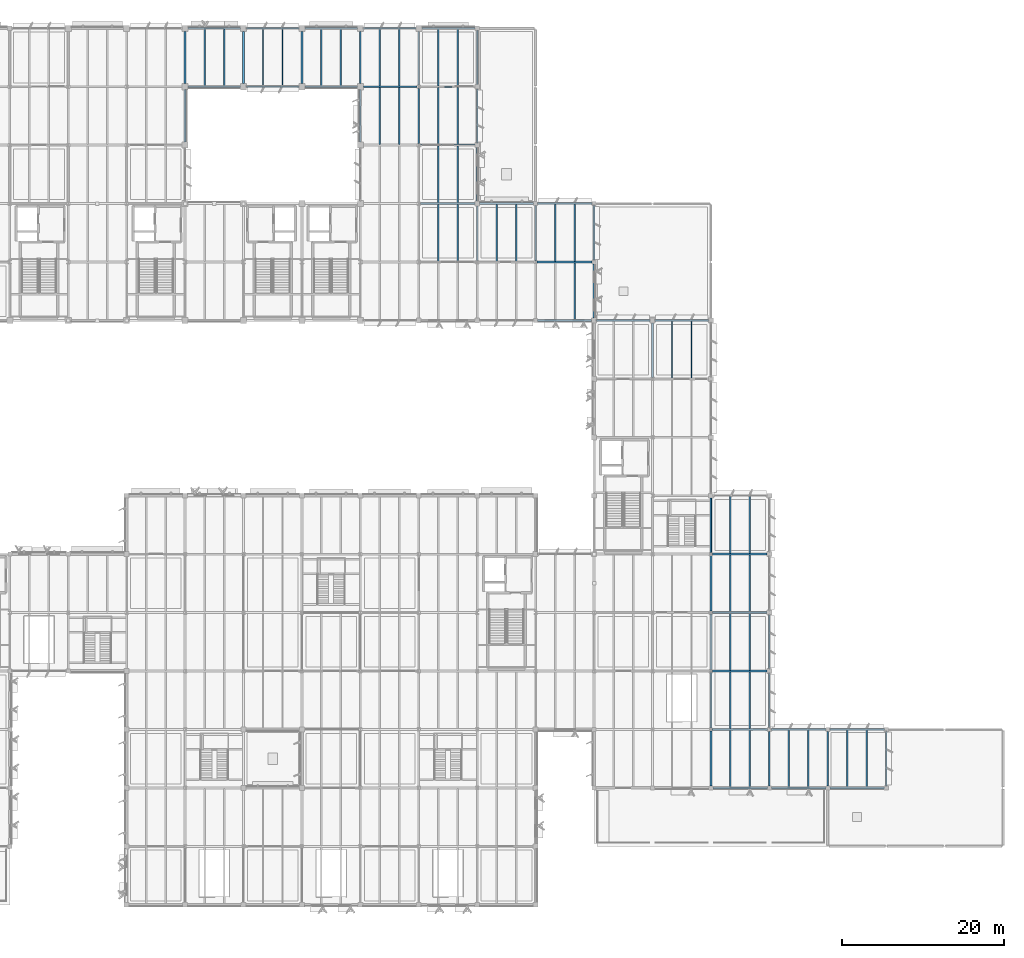
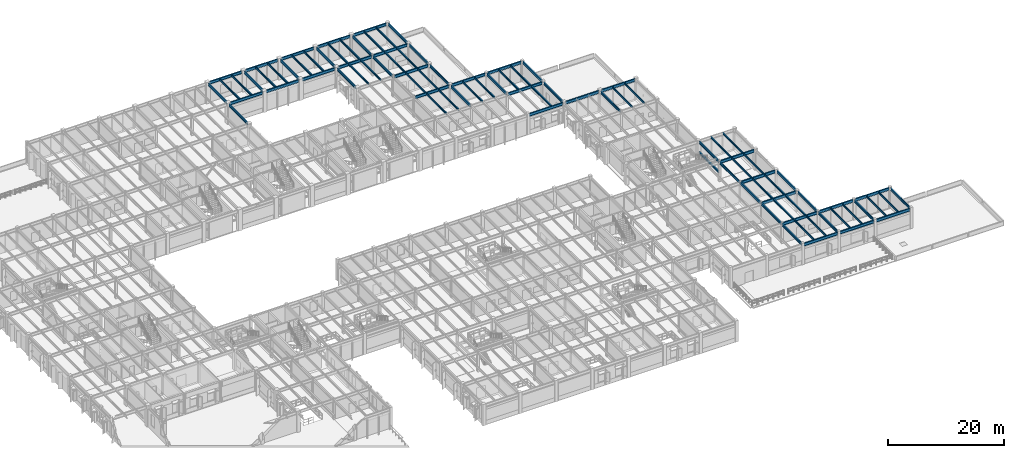
# One storey, part 23 of 92: 93 beams.
"""IFC4 building model written with IfcOpenShell, lengths in metres."""

from ifc_helpers import new_model, si_unit, direction, frame, origin, origin_2d, place, context, subcontext, project, spatial, i_section, extrude, material, material_profile, profile_set, type_object, element, save


model = new_model("IFC4")

# Units and contexts
model_context = context("Model", 3, precision=1e-05, world=origin(), true_north=direction((0.0, 1.0)))
body_context = subcontext(model_context, "Body", "Model", "MODEL_VIEW")
ifc_project = project(units=[si_unit("LENGTHUNIT", "METRE"), si_unit("AREAUNIT", "SQUARE_METRE"), si_unit("VOLUMEUNIT", "CUBIC_METRE"), si_unit("PLANEANGLEUNIT", "RADIAN"), si_unit("MASSUNIT", "GRAM", prefix="KILO")], contexts=[model_context])

# Site, building, storey
site_placement = place(None, origin())
site = spatial("IfcSite", under=ifc_project, at=site_placement, CompositionType="ELEMENT")
building_placement = place(site_placement, origin())
building = spatial("IfcBuilding", under=site, at=building_placement, Name="Sillqori Civic Hall", CompositionType="ELEMENT")
storey_placement = place(building_placement, frame((0.0, 0.0, 5.39990234375)))
storey = spatial("IfcBuildingStorey", under=building, at=storey_placement, Name="L02", CompositionType="ELEMENT", Elevation=5.39990234375)

# Beams
ifc_material = material(Name="Steel ASTM A992", Category="steel")
ifc_material_profile_1 = material_profile(ifc_material, i_section(OverallWidth=0.19091796875, OverallDepth=0.4599609375, WebThickness=0.010009765625, FlangeThickness=0.01611328125, FilletRadius=0.012939453125, at=origin_2d()), Name="W18X55")
ifc_profile_set_1 = profile_set([ifc_material_profile_1], Name="Steel ASTM A992")
beam_type_1 = type_object("IfcBeamType", Name="BM-W18X55", PredefinedType="BEAM", material=ifc_profile_set_1)
beam_1_placement = place(storey_placement, frame((136.800048828125, 50.577880859375, 1.8251953125), z_axis=(0.0, 1.0, 0.0), x_axis=(-1.0, 0.0, 0.0)))
element("IfcBeam", 1, at=beam_1_placement, inside=storey, type_object=beam_type_1, Name="Members Library Stacks Stair L02-L03 landing stringer girder E", PredefinedType="BEAM", context=body_context, shape_type="SweptSolid", body=[
    extrude(i_section(OverallWidth=0.19091796875, OverallDepth=0.4599609375, WebThickness=0.010009765625, FlangeThickness=0.01611328125, FilletRadius=0.012939453125, at=origin_2d()), origin(), (0.0, 0.0, 1.0), 6.72802734375),
])
ifc_material_profile_2 = material_profile(ifc_material, i_section(OverallWidth=0.2099609375, OverallDepth=0.532958984375, WebThickness=0.01025390625, FlangeThickness=0.015625, FilletRadius=0.013916015625, at=origin_2d()), Name="W21X62")
ifc_profile_set_2 = profile_set([ifc_material_profile_2], Name="Steel ASTM A992")
beam_type_2 = type_object("IfcBeamType", Name="BM-W21X62", PredefinedType="BEAM", material=ifc_profile_set_2)
for number, where, z_axis, x_axis, name in (
    (2, (72.0, 101.1689453125, 4.03369140625), (0.0, 1.0, 0.0), (-1.0, 0.0, 0.0), "L02 girder Y 10-14"),
    (3, (72.0, 108.368896484375, 4.03369140625), (0.0, 1.0, 0.0), (-1.0, 0.0, 0.0), "L02 girder Y 10-15"),
    (4, (79.199951171875, 108.368896484375, 4.03369140625), (0.0, 1.0, 0.0), (-1.0, 0.0, 0.0), "L02 girder Y 11-15"),
    (5, (86.39990234375, 108.368896484375, 4.03369140625), (0.0, 1.0, 0.0), (-1.0, 0.0, 0.0), "L02 girder Y 12-15"),
    (6, (93.60009765625, 101.1689453125, 4.03369140625), (0.0, 1.0, 0.0), (-1.0, 0.0, 0.0), "L02 girder Y 13-14"),
    (7, (93.60009765625, 108.368896484375, 4.03369140625), (0.0, 1.0, 0.0), (-1.0, 0.0, 0.0), "L02 girder Y 13-15"),
):
    element("IfcBeam", number, at=place(storey_placement, frame(where, z_axis=z_axis, x_axis=x_axis)), inside=storey, type_object=beam_type_2, Name=name, PredefinedType="BEAM", context=body_context, shape_type="SweptSolid", body=[
        extrude(i_section(OverallWidth=0.2099609375, OverallDepth=0.532958984375, WebThickness=0.01025390625, FlangeThickness=0.015625, FilletRadius=0.013916015625, at=origin_2d()), origin(), (0.0, 0.0, 1.0), 6.462158203125),
    ])
beam_2_placement = place(storey_placement, frame((100.800048828125, 100.990966796875, 4.03369140625), z_axis=(0.0, 1.0, 0.0), x_axis=(-1.0, 0.0, 0.0)))
element("IfcBeam", 8, at=beam_2_placement, inside=storey, type_object=beam_type_2, Name="L02 girder Y 14-14", PredefinedType="BEAM", context=body_context, shape_type="SweptSolid", body=[
    extrude(i_section(OverallWidth=0.2099609375, OverallDepth=0.532958984375, WebThickness=0.01025390625, FlangeThickness=0.015625, FilletRadius=0.013916015625, at=origin_2d()), origin(), (0.0, 0.0, 1.0), 6.818115234375),
])
beam_3_placement = place(storey_placement, frame((100.800048828125, 108.19091796875, 4.03369140625), z_axis=(0.0, 1.0, 0.0), x_axis=(-1.0, 0.0, 0.0)))
element("IfcBeam", 9, at=beam_3_placement, inside=storey, type_object=beam_type_2, Name="L02 girder Y 14-15", PredefinedType="BEAM", context=body_context, shape_type="SweptSolid", body=[
    extrude(i_section(OverallWidth=0.2099609375, OverallDepth=0.532958984375, WebThickness=0.01025390625, FlangeThickness=0.015625, FilletRadius=0.013916015625, at=origin_2d()), origin(), (0.0, 0.0, 1.0), 6.64013671875),
])
beam_4_placement = place(storey_placement, frame((108.0, 86.577880859375, 4.03369140625), z_axis=(0.0, 1.0, 0.0), x_axis=(-1.0, 0.0, 0.0)))
element("IfcBeam", 10, at=beam_4_placement, inside=storey, type_object=beam_type_2, Name="L02 girder Y 15-12", PredefinedType="BEAM", context=body_context, shape_type="SweptSolid", body=[
    extrude(i_section(OverallWidth=0.2099609375, OverallDepth=0.532958984375, WebThickness=0.01025390625, FlangeThickness=0.015625, FilletRadius=0.013916015625, at=origin_2d()), origin(), (0.0, 0.0, 1.0), 6.72802734375),
])
for number, where, z_axis, x_axis, name in (
    (11, (108.0, 93.89404296875, 4.03369140625), (0.0, 1.0, 0.0), (-1.0, 0.0, 0.0), "L02 girder Y 15-13"),
    (12, (108.0, 101.093994140625, 4.03369140625), (0.0, 1.0, 0.0), (-1.0, 0.0, 0.0), "L02 girder Y 15-14"),
    (13, (108.0, 108.2939453125, 4.03369140625), (0.0, 1.0, 0.0), (-1.0, 0.0, 0.0), "L02 girder Y 15-15"),
):
    element("IfcBeam", number, at=place(storey_placement, frame(where, z_axis=z_axis, x_axis=x_axis)), inside=storey, type_object=beam_type_2, Name=name, PredefinedType="BEAM", context=body_context, shape_type="SweptSolid", body=[
        extrude(i_section(OverallWidth=0.2099609375, OverallDepth=0.532958984375, WebThickness=0.01025390625, FlangeThickness=0.015625, FilletRadius=0.013916015625, at=origin_2d()), origin(), (0.0, 0.0, 1.0), 6.612060546875),
    ])
beam_5_placement = place(storey_placement, frame((115.199951171875, 86.574462890625, 4.03369140625), z_axis=(0.0, 1.0, 0.0), x_axis=(-1.0, 0.0, 0.0)))
element("IfcBeam", 14, at=beam_5_placement, inside=storey, type_object=beam_type_2, Name="L02 girder Y 16-12", PredefinedType="BEAM", context=body_context, shape_type="SweptSolid", body=[
    extrude(i_section(OverallWidth=0.2099609375, OverallDepth=0.532958984375, WebThickness=0.01025390625, FlangeThickness=0.015625, FilletRadius=0.013916015625, at=origin_2d()), origin(), (0.0, 0.0, 1.0), 6.781494140625),
])
beam_6_placement = place(storey_placement, frame((122.39990234375, 79.493896484375, 4.03369140625), z_axis=(0.0, 1.0, 0.0), x_axis=(-1.0, 0.0, 0.0)))
element("IfcBeam", 15, at=beam_6_placement, inside=storey, type_object=beam_type_2, Name="L02 girder Y 17-11", PredefinedType="BEAM", context=body_context, shape_type="SweptSolid", body=[
    extrude(i_section(OverallWidth=0.2099609375, OverallDepth=0.532958984375, WebThickness=0.01025390625, FlangeThickness=0.015625, FilletRadius=0.013916015625, at=origin_2d()), origin(), (0.0, 0.0, 1.0), 6.662109375),
])
beam_7_placement = place(storey_placement, frame((122.39990234375, 86.64404296875, 4.03369140625), z_axis=(0.0, 1.0, 0.0), x_axis=(-1.0, 0.0, 0.0)))
element("IfcBeam", 16, at=beam_7_placement, inside=storey, type_object=beam_type_2, Name="L02 girder Y 17-12", PredefinedType="BEAM", context=body_context, shape_type="SweptSolid", body=[
    extrude(i_section(OverallWidth=0.2099609375, OverallDepth=0.532958984375, WebThickness=0.01025390625, FlangeThickness=0.015625, FilletRadius=0.013916015625, at=origin_2d()), origin(), (0.0, 0.0, 1.0), 6.7119140625),
])
beam_8_placement = place(storey_placement, frame((129.60009765625, 72.177978515625, 4.03369140625), z_axis=(0.0, 1.0, 0.0), x_axis=(-1.0, 0.0, 0.0)))
element("IfcBeam", 17, at=beam_8_placement, inside=storey, type_object=beam_type_2, Name="L02 girder Y 18-10", PredefinedType="BEAM", context=body_context, shape_type="SweptSolid", body=[
    extrude(i_section(OverallWidth=0.2099609375, OverallDepth=0.532958984375, WebThickness=0.01025390625, FlangeThickness=0.015625, FilletRadius=0.013916015625, at=origin_2d()), origin(), (0.0, 0.0, 1.0), 6.72802734375),
])
beam_9_placement = place(storey_placement, frame((136.800048828125, 21.843994140625, 4.03369140625), z_axis=(0.0, 1.0, 0.0), x_axis=(-1.0, 0.0, 0.0)))
element("IfcBeam", 18, at=beam_9_placement, inside=storey, type_object=beam_type_2, Name="L02 girder Y 19-3", PredefinedType="BEAM", context=body_context, shape_type="SweptSolid", body=[
    extrude(i_section(OverallWidth=0.2099609375, OverallDepth=0.532958984375, WebThickness=0.01025390625, FlangeThickness=0.015625, FilletRadius=0.013916015625, at=origin_2d()), origin(), (0.0, 0.0, 1.0), 6.781494140625),
])
beam_10_placement = place(storey_placement, frame((136.800048828125, 28.974609375, 4.03369140625), z_axis=(0.0, 1.0, 0.0), x_axis=(-1.0, 0.0, 0.0)))
element("IfcBeam", 19, at=beam_10_placement, inside=storey, type_object=beam_type_2, Name="L02 girder Y 19-4", PredefinedType="BEAM", context=body_context, shape_type="SweptSolid", body=[
    extrude(i_section(OverallWidth=0.2099609375, OverallDepth=0.532958984375, WebThickness=0.01025390625, FlangeThickness=0.015625, FilletRadius=0.013916015625, at=origin_2d()), origin(), (0.0, 0.0, 1.0), 6.847412109375),
])
for number, where, z_axis, x_axis, name in (
    (20, (136.800048828125, 36.177978515625, 4.03369140625), (0.0, 1.0, 0.0), (-1.0, 0.0, 0.0), "L02 girder Y 19-5"),
    (21, (136.800048828125, 43.3779296875, 4.03369140625), (0.0, 1.0, 0.0), (-1.0, 0.0, 0.0), "L02 girder Y 19-6"),
):
    element("IfcBeam", number, at=place(storey_placement, frame(where, z_axis=z_axis, x_axis=x_axis)), inside=storey, type_object=beam_type_2, Name=name, PredefinedType="BEAM", context=body_context, shape_type="SweptSolid", body=[
        extrude(i_section(OverallWidth=0.2099609375, OverallDepth=0.532958984375, WebThickness=0.01025390625, FlangeThickness=0.015625, FilletRadius=0.013916015625, at=origin_2d()), origin(), (0.0, 0.0, 1.0), 6.843994140625),
    ])
beam_11_placement = place(storey_placement, frame((136.800048828125, 50.577880859375, 4.03369140625), z_axis=(0.0, 1.0, 0.0), x_axis=(-1.0, 0.0, 0.0)))
element("IfcBeam", 22, at=beam_11_placement, inside=storey, type_object=beam_type_2, Name="L02 girder Y 19-7", PredefinedType="BEAM", context=body_context, shape_type="SweptSolid", body=[
    extrude(i_section(OverallWidth=0.2099609375, OverallDepth=0.532958984375, WebThickness=0.01025390625, FlangeThickness=0.015625, FilletRadius=0.013916015625, at=origin_2d()), origin(), (0.0, 0.0, 1.0), 6.72802734375),
])
beam_12_placement = place(storey_placement, frame((144.0, 21.843994140625, 4.03369140625), z_axis=(0.0, 1.0, 0.0), x_axis=(-1.0, 0.0, 0.0)))
element("IfcBeam", 23, at=beam_12_placement, inside=storey, type_object=beam_type_2, Name="L02 girder Y 20-3", PredefinedType="BEAM", context=body_context, shape_type="SweptSolid", body=[
    extrude(i_section(OverallWidth=0.2099609375, OverallDepth=0.532958984375, WebThickness=0.01025390625, FlangeThickness=0.015625, FilletRadius=0.013916015625, at=origin_2d()), origin(), (0.0, 0.0, 1.0), 6.7119140625),
])
beam_13_placement = place(storey_placement, frame((144.0, 29.0439453125, 4.03369140625), z_axis=(0.0, 1.0, 0.0), x_axis=(-1.0, 0.0, 0.0)))
element("IfcBeam", 24, at=beam_13_placement, inside=storey, type_object=beam_type_2, Name="L02 girder Y 20-4", PredefinedType="BEAM", context=body_context, shape_type="SweptSolid", body=[
    extrude(i_section(OverallWidth=0.2099609375, OverallDepth=0.532958984375, WebThickness=0.01025390625, FlangeThickness=0.015625, FilletRadius=0.013916015625, at=origin_2d()), origin(), (0.0, 0.0, 1.0), 6.662109375),
])
beam_14_placement = place(storey_placement, frame((144.0, 36.2939453125, 4.03369140625), z_axis=(0.0, 1.0, 0.0), x_axis=(-1.0, 0.0, 0.0)))
element("IfcBeam", 25, at=beam_14_placement, inside=storey, type_object=beam_type_2, Name="L02 girder Y 20-5", PredefinedType="BEAM", context=body_context, shape_type="SweptSolid", body=[
    extrude(i_section(OverallWidth=0.2099609375, OverallDepth=0.532958984375, WebThickness=0.01025390625, FlangeThickness=0.015625, FilletRadius=0.013916015625, at=origin_2d()), origin(), (0.0, 0.0, 1.0), 6.612060546875),
])
for number, where, z_axis, x_axis, name in (
    (26, (151.199951171875, 21.843994140625, 4.03369140625), (0.0, 1.0, 0.0), (-1.0, 0.0, 0.0), "L02 girder Y 21-3"),
    (27, (158.39990234375, 21.843994140625, 4.03369140625), (0.0, 1.0, 0.0), (-1.0, 0.0, 0.0), "L02 girder Y 22-3"),
):
    element("IfcBeam", number, at=place(storey_placement, frame(where, z_axis=z_axis, x_axis=x_axis)), inside=storey, type_object=beam_type_2, Name=name, PredefinedType="BEAM", context=body_context, shape_type="SweptSolid", body=[
        extrude(i_section(OverallWidth=0.2099609375, OverallDepth=0.532958984375, WebThickness=0.01025390625, FlangeThickness=0.015625, FilletRadius=0.013916015625, at=origin_2d()), origin(), (0.0, 0.0, 1.0), 6.7119140625),
    ])
ifc_material_profile_3 = material_profile(ifc_material, i_section(OverallWidth=0.22802734375, OverallDepth=0.60205078125, WebThickness=0.010498046875, FlangeThickness=0.014892578125, FilletRadius=0.014892578125, at=origin_2d()), Name="W24X68")
ifc_profile_set_3 = profile_set([ifc_material_profile_3], Name="Steel ASTM A992")
beam_type_3 = type_object("IfcBeamType", Name="BM-W24X68", PredefinedType="BEAM", material=ifc_profile_set_3)
for number, where, z_axis, x_axis, name in (
    (28, (72.368896484375, 108.0, 3.9990234375), (1.0, 0.0, 0.0), (0.0, 1.0, 0.0), "L02 girder X 10-15"),
    (29, (72.368896484375, 115.199951171875, 3.9990234375), (1.0, 0.0, 0.0), (0.0, 1.0, 0.0), "L02 girder X 10-16"),
):
    element("IfcBeam", number, at=place(storey_placement, frame(where, z_axis=z_axis, x_axis=x_axis)), inside=storey, type_object=beam_type_3, Name=name, PredefinedType="BEAM", context=body_context, shape_type="SweptSolid", body=[
        extrude(i_section(OverallWidth=0.22802734375, OverallDepth=0.60205078125, WebThickness=0.010498046875, FlangeThickness=0.014892578125, FilletRadius=0.014892578125, at=origin_2d()), origin(), (0.0, 0.0, 1.0), 6.462158203125),
    ])
for number, where, z_axis, x_axis, name in (
    (30, (79.569091796875, 108.0, 3.9990234375), (1.0, 0.0, 0.0), (0.0, 1.0, 0.0), "L02 girder X 11-15"),
    (31, (79.569091796875, 115.199951171875, 3.9990234375), (1.0, 0.0, 0.0), (0.0, 1.0, 0.0), "L02 girder X 11-16"),
    (32, (86.76904296875, 108.0, 3.9990234375), (1.0, 0.0, 0.0), (0.0, 1.0, 0.0), "L02 girder X 12-15"),
    (33, (86.76904296875, 115.199951171875, 3.9990234375), (1.0, 0.0, 0.0), (0.0, 1.0, 0.0), "L02 girder X 12-16"),
):
    element("IfcBeam", number, at=place(storey_placement, frame(where, z_axis=z_axis, x_axis=x_axis)), inside=storey, type_object=beam_type_3, Name=name, PredefinedType="BEAM", context=body_context, shape_type="SweptSolid", body=[
        extrude(i_section(OverallWidth=0.22802734375, OverallDepth=0.60205078125, WebThickness=0.010498046875, FlangeThickness=0.014892578125, FilletRadius=0.014892578125, at=origin_2d()), origin(), (0.0, 0.0, 1.0), 6.4619140625),
    ])
beam_15_placement = place(storey_placement, frame((93.968994140625, 108.0, 3.9990234375), z_axis=(1.0, 0.0, 0.0), x_axis=(0.0, 1.0, 0.0)))
element("IfcBeam", 34, at=beam_15_placement, inside=storey, type_object=beam_type_3, Name="L02 girder X 13-15", PredefinedType="BEAM", context=body_context, shape_type="SweptSolid", body=[
    extrude(i_section(OverallWidth=0.22802734375, OverallDepth=0.60205078125, WebThickness=0.010498046875, FlangeThickness=0.014892578125, FilletRadius=0.014892578125, at=origin_2d()), origin(), (0.0, 0.0, 1.0), 6.637451171875),
])
beam_16_placement = place(storey_placement, frame((93.968994140625, 115.199951171875, 3.9990234375), z_axis=(1.0, 0.0, 0.0), x_axis=(0.0, 1.0, 0.0)))
element("IfcBeam", 35, at=beam_16_placement, inside=storey, type_object=beam_type_3, Name="L02 girder X 13-16", PredefinedType="BEAM", context=body_context, shape_type="SweptSolid", body=[
    extrude(i_section(OverallWidth=0.22802734375, OverallDepth=0.60205078125, WebThickness=0.010498046875, FlangeThickness=0.014892578125, FilletRadius=0.014892578125, at=origin_2d()), origin(), (0.0, 0.0, 1.0), 6.4619140625),
])
for number, where, z_axis, x_axis, name in (
    (36, (100.993408203125, 93.60009765625, 3.9990234375), (1.0, 0.0, 0.0), (0.0, 1.0, 0.0), "L02 girder X 14-13"),
    (37, (100.993408203125, 100.800048828125, 3.9990234375), (1.0, 0.0, 0.0), (0.0, 1.0, 0.0), "L02 girder X 14-14"),
    (38, (100.993408203125, 108.0, 3.9990234375), (1.0, 0.0, 0.0), (0.0, 1.0, 0.0), "L02 girder X 14-15"),
):
    element("IfcBeam", number, at=place(storey_placement, frame(where, z_axis=z_axis, x_axis=x_axis)), inside=storey, type_object=beam_type_3, Name=name, PredefinedType="BEAM", context=body_context, shape_type="SweptSolid", body=[
        extrude(i_section(OverallWidth=0.22802734375, OverallDepth=0.60205078125, WebThickness=0.010498046875, FlangeThickness=0.014892578125, FilletRadius=0.014892578125, at=origin_2d()), origin(), (0.0, 0.0, 1.0), 6.712646484375),
    ])
beam_17_placement = place(storey_placement, frame((101.1689453125, 115.199951171875, 3.9990234375), z_axis=(1.0, 0.0, 0.0), x_axis=(0.0, 1.0, 0.0)))
element("IfcBeam", 39, at=beam_17_placement, inside=storey, type_object=beam_type_3, Name="L02 girder X 14-16", PredefinedType="BEAM", context=body_context, shape_type="SweptSolid", body=[
    extrude(i_section(OverallWidth=0.22802734375, OverallDepth=0.60205078125, WebThickness=0.010498046875, FlangeThickness=0.014892578125, FilletRadius=0.014892578125, at=origin_2d()), origin(), (0.0, 0.0, 1.0), 6.537109375),
])
beam_18_placement = place(storey_placement, frame((108.2939453125, 93.60009765625, 3.9990234375), z_axis=(1.0, 0.0, 0.0), x_axis=(0.0, 1.0, 0.0)))
element("IfcBeam", 40, at=beam_18_placement, inside=storey, type_object=beam_type_3, Name="L02 girder X 15-13", PredefinedType="BEAM", context=body_context, shape_type="SweptSolid", body=[
    extrude(i_section(OverallWidth=0.22802734375, OverallDepth=0.60205078125, WebThickness=0.010498046875, FlangeThickness=0.014892578125, FilletRadius=0.014892578125, at=origin_2d()), origin(), (0.0, 0.0, 1.0), 6.662109375),
])
beam_19_placement = place(storey_placement, frame((115.444091796875, 79.199951171875, 3.9990234375), z_axis=(1.0, 0.0, 0.0), x_axis=(0.0, 1.0, 0.0)))
element("IfcBeam", 41, at=beam_19_placement, inside=storey, type_object=beam_type_3, Name="L02 girder X 16-11", PredefinedType="BEAM", context=body_context, shape_type="SweptSolid", body=[
    extrude(i_section(OverallWidth=0.22802734375, OverallDepth=0.60205078125, WebThickness=0.010498046875, FlangeThickness=0.014892578125, FilletRadius=0.014892578125, at=origin_2d()), origin(), (0.0, 0.0, 1.0), 6.661865234375),
])
beam_20_placement = place(storey_placement, frame((115.37939453125, 86.39990234375, 3.9990234375), z_axis=(1.0, 0.0, 0.0), x_axis=(0.0, 1.0, 0.0)))
element("IfcBeam", 42, at=beam_20_placement, inside=storey, type_object=beam_type_3, Name="L02 girder X 16-12", PredefinedType="BEAM", context=body_context, shape_type="SweptSolid", body=[
    extrude(i_section(OverallWidth=0.22802734375, OverallDepth=0.60205078125, WebThickness=0.010498046875, FlangeThickness=0.014892578125, FilletRadius=0.014892578125, at=origin_2d()), origin(), (0.0, 0.0, 1.0), 6.776611328125),
])
beam_21_placement = place(storey_placement, frame((115.444091796875, 93.60009765625, 3.9990234375), z_axis=(1.0, 0.0, 0.0), x_axis=(0.0, 1.0, 0.0)))
element("IfcBeam", 43, at=beam_21_placement, inside=storey, type_object=beam_type_3, Name="L02 girder X 16-13", PredefinedType="BEAM", context=body_context, shape_type="SweptSolid", body=[
    extrude(i_section(OverallWidth=0.22802734375, OverallDepth=0.60205078125, WebThickness=0.010498046875, FlangeThickness=0.014892578125, FilletRadius=0.014892578125, at=origin_2d()), origin(), (0.0, 0.0, 1.0), 6.7119140625),
])
ifc_material_profile_4 = material_profile(ifc_material, i_section(OverallWidth=0.22900390625, OverallDepth=0.612060546875, WebThickness=0.011962890625, FlangeThickness=0.01953125, FilletRadius=0.014892578125, at=origin_2d()), Name="W24X84")
ifc_profile_set_4 = profile_set([ifc_material_profile_4], Name="Steel ASTM A992")
beam_type_4 = type_object("IfcBeamType", Name="BM-W24X84", PredefinedType="BEAM", material=ifc_profile_set_4)
beam_22_placement = place(storey_placement, frame((122.694091796875, 79.199951171875, 3.994140625), z_axis=(1.0, 0.0, 0.0), x_axis=(0.0, 1.0, 0.0)))
element("IfcBeam", 44, at=beam_22_placement, inside=storey, type_object=beam_type_4, Name="L02 girder X 17-11", PredefinedType="BEAM", context=body_context, shape_type="SweptSolid", body=[
    extrude(i_section(OverallWidth=0.22900390625, OverallDepth=0.612060546875, WebThickness=0.011962890625, FlangeThickness=0.01953125, FilletRadius=0.014892578125, at=origin_2d()), origin(), (0.0, 0.0, 1.0), 6.61181640625),
])
beam_23_placement = place(storey_placement, frame((129.89404296875, 79.199951171875, 3.994140625), z_axis=(1.0, 0.0, 0.0), x_axis=(0.0, 1.0, 0.0)))
element("IfcBeam", 45, at=beam_23_placement, inside=storey, type_object=beam_type_4, Name="L02 girder X 18-11", PredefinedType="BEAM", context=body_context, shape_type="SweptSolid", body=[
    extrude(i_section(OverallWidth=0.22900390625, OverallDepth=0.612060546875, WebThickness=0.011962890625, FlangeThickness=0.01953125, FilletRadius=0.014892578125, at=origin_2d()), origin(), (0.0, 0.0, 1.0), 6.612060546875),
])
beam_24_placement = place(storey_placement, frame((137.0439453125, 21.60009765625, 3.994140625), z_axis=(1.0, 0.0, 0.0), x_axis=(0.0, 1.0, 0.0)))
element("IfcBeam", 46, at=beam_24_placement, inside=storey, type_object=beam_type_4, Name="L02 girder X 19-3", PredefinedType="BEAM", context=body_context, shape_type="SweptSolid", body=[
    extrude(i_section(OverallWidth=0.22900390625, OverallDepth=0.612060546875, WebThickness=0.011962890625, FlangeThickness=0.01953125, FilletRadius=0.014892578125, at=origin_2d()), origin(), (0.0, 0.0, 1.0), 6.712158203125),
])
beam_25_placement = place(storey_placement, frame((136.9794921875, 28.800048828125, 3.994140625), z_axis=(1.0, 0.0, 0.0), x_axis=(0.0, 1.0, 0.0)))
element("IfcBeam", 47, at=beam_25_placement, inside=storey, type_object=beam_type_4, Name="L02 girder X 19-4", PredefinedType="BEAM", context=body_context, shape_type="SweptSolid", body=[
    extrude(i_section(OverallWidth=0.22900390625, OverallDepth=0.612060546875, WebThickness=0.011962890625, FlangeThickness=0.01953125, FilletRadius=0.014892578125, at=origin_2d()), origin(), (0.0, 0.0, 1.0), 6.776611328125),
])
for number, where, z_axis, x_axis, name in (
    (48, (136.98046875, 36.0, 3.994140625), (1.0, 0.0, 0.0), (0.0, 1.0, 0.0), "L02 girder X 19-5"),
    (49, (136.98046875, 43.199951171875, 3.994140625), (1.0, 0.0, 0.0), (0.0, 1.0, 0.0), "L02 girder X 19-6"),
    (50, (136.98046875, 50.39990234375, 3.994140625), (1.0, 0.0, 0.0), (0.0, 1.0, 0.0), "L02 girder X 19-7"),
):
    element("IfcBeam", number, at=place(storey_placement, frame(where, z_axis=z_axis, x_axis=x_axis)), inside=storey, type_object=beam_type_4, Name=name, PredefinedType="BEAM", context=body_context, shape_type="SweptSolid", body=[
        extrude(i_section(OverallWidth=0.22900390625, OverallDepth=0.612060546875, WebThickness=0.011962890625, FlangeThickness=0.01953125, FilletRadius=0.014892578125, at=origin_2d()), origin(), (0.0, 0.0, 1.0), 6.7255859375),
    ])
for number, where, z_axis, x_axis, name in (
    (51, (144.243896484375, 21.60009765625, 3.994140625), (1.0, 0.0, 0.0), (0.0, 1.0, 0.0), "L02 girder X 20-3"),
    (52, (144.243896484375, 28.800048828125, 3.994140625), (1.0, 0.0, 0.0), (0.0, 1.0, 0.0), "L02 girder X 20-4"),
):
    element("IfcBeam", number, at=place(storey_placement, frame(where, z_axis=z_axis, x_axis=x_axis)), inside=storey, type_object=beam_type_4, Name=name, PredefinedType="BEAM", context=body_context, shape_type="SweptSolid", body=[
        extrude(i_section(OverallWidth=0.22900390625, OverallDepth=0.612060546875, WebThickness=0.011962890625, FlangeThickness=0.01953125, FilletRadius=0.014892578125, at=origin_2d()), origin(), (0.0, 0.0, 1.0), 6.712158203125),
    ])
for number, where, z_axis, x_axis, name in (
    (53, (151.444091796875, 21.60009765625, 3.994140625), (1.0, 0.0, 0.0), (0.0, 1.0, 0.0), "L02 girder X 21-3"),
    (54, (151.444091796875, 28.800048828125, 3.994140625), (1.0, 0.0, 0.0), (0.0, 1.0, 0.0), "L02 girder X 21-4"),
):
    element("IfcBeam", number, at=place(storey_placement, frame(where, z_axis=z_axis, x_axis=x_axis)), inside=storey, type_object=beam_type_4, Name=name, PredefinedType="BEAM", context=body_context, shape_type="SweptSolid", body=[
        extrude(i_section(OverallWidth=0.22900390625, OverallDepth=0.612060546875, WebThickness=0.011962890625, FlangeThickness=0.01953125, FilletRadius=0.014892578125, at=origin_2d()), origin(), (0.0, 0.0, 1.0), 6.7119140625),
    ])
ifc_material_profile_5 = material_profile(ifc_material, i_section(OverallWidth=0.177978515625, OverallDepth=0.404052734375, WebThickness=0.007568359375, FlangeThickness=0.010986328125, FilletRadius=0.011962890625, at=origin_2d()), Name="W16X36")
ifc_profile_set_5 = profile_set([ifc_material_profile_5], Name="Steel ASTM A992")
beam_type_5 = type_object("IfcBeamType", Name="JS-W16X36", PredefinedType="JOIST", material=ifc_profile_set_5)
for number, where, z_axis, x_axis, name in (
    (55, (74.39990234375, 108.094970703125, 4.09814453125), (0.0, 1.0, 0.0), (-1.0, 0.0, 0.0), "L02 composite joist 10-15.1"),
    (56, (76.800048828125, 108.094970703125, 4.09814453125), (0.0, 1.0, 0.0), (-1.0, 0.0, 0.0), "L02 composite joist 10-15.2"),
    (57, (81.60009765625, 108.094970703125, 4.09814453125), (0.0, 1.0, 0.0), (-1.0, 0.0, 0.0), "L02 composite joist 11-15.1"),
    (58, (84.0, 108.094970703125, 4.09814453125), (0.0, 1.0, 0.0), (-1.0, 0.0, 0.0), "L02 composite joist 11-15.2"),
    (59, (88.800048828125, 108.094970703125, 4.09814453125), (0.0, 1.0, 0.0), (-1.0, 0.0, 0.0), "L02 composite joist 12-15.1"),
    (60, (91.199951171875, 108.094970703125, 4.09814453125), (0.0, 1.0, 0.0), (-1.0, 0.0, 0.0), "L02 composite joist 12-15.2"),
    (61, (96.0, 100.89501953125, 4.09814453125), (0.0, 1.0, 0.0), (-1.0, 0.0, 0.0), "L02 composite joist 13-14.1"),
    (62, (98.39990234375, 100.89501953125, 4.09814453125), (0.0, 1.0, 0.0), (-1.0, 0.0, 0.0), "L02 composite joist 13-14.2"),
    (63, (96.0, 108.094970703125, 4.09814453125), (0.0, 1.0, 0.0), (-1.0, 0.0, 0.0), "L02 composite joist 13-15.1"),
    (64, (98.39990234375, 108.094970703125, 4.09814453125), (0.0, 1.0, 0.0), (-1.0, 0.0, 0.0), "L02 composite joist 13-15.2"),
):
    element("IfcBeam", number, at=place(storey_placement, frame(where, z_axis=z_axis, x_axis=x_axis)), inside=storey, type_object=beam_type_5, Name=name, PredefinedType="JOIST", context=body_context, shape_type="SweptSolid", body=[
        extrude(i_section(OverallWidth=0.177978515625, OverallDepth=0.404052734375, WebThickness=0.007568359375, FlangeThickness=0.010986328125, FilletRadius=0.011962890625, at=origin_2d()), origin(), (0.0, 0.0, 1.0), 7.010009765625),
    ])
for number, where, z_axis, x_axis, name in (
    (65, (103.199951171875, 86.4951171875, 4.09814453125), (0.0, 1.0, 0.0), (-1.0, 0.0, 0.0), "L02 composite joist 14-12.1"),
    (66, (105.60009765625, 86.4951171875, 4.09814453125), (0.0, 1.0, 0.0), (-1.0, 0.0, 0.0), "L02 composite joist 14-12.2"),
):
    element("IfcBeam", number, at=place(storey_placement, frame(where, z_axis=z_axis, x_axis=x_axis)), inside=storey, type_object=beam_type_5, Name=name, PredefinedType="JOIST", context=body_context, shape_type="SweptSolid", body=[
        extrude(i_section(OverallWidth=0.177978515625, OverallDepth=0.404052734375, WebThickness=0.007568359375, FlangeThickness=0.010986328125, FilletRadius=0.011962890625, at=origin_2d()), origin(), (0.0, 0.0, 1.0), 7.009765625),
    ])
for number, where, z_axis, x_axis, name in (
    (67, (103.199951171875, 93.695068359375, 4.09814453125), (0.0, 1.0, 0.0), (-1.0, 0.0, 0.0), "L02 composite joist 14-13.1"),
    (68, (105.60009765625, 93.695068359375, 4.09814453125), (0.0, 1.0, 0.0), (-1.0, 0.0, 0.0), "L02 composite joist 14-13.2"),
    (69, (103.199951171875, 100.89501953125, 4.09814453125), (0.0, 1.0, 0.0), (-1.0, 0.0, 0.0), "L02 composite joist 14-14.1"),
    (70, (105.60009765625, 100.89501953125, 4.09814453125), (0.0, 1.0, 0.0), (-1.0, 0.0, 0.0), "L02 composite joist 14-14.2"),
    (71, (103.199951171875, 108.094970703125, 4.09814453125), (0.0, 1.0, 0.0), (-1.0, 0.0, 0.0), "L02 composite joist 14-15.1"),
    (72, (105.60009765625, 108.094970703125, 4.09814453125), (0.0, 1.0, 0.0), (-1.0, 0.0, 0.0), "L02 composite joist 14-15.2"),
):
    element("IfcBeam", number, at=place(storey_placement, frame(where, z_axis=z_axis, x_axis=x_axis)), inside=storey, type_object=beam_type_5, Name=name, PredefinedType="JOIST", context=body_context, shape_type="SweptSolid", body=[
        extrude(i_section(OverallWidth=0.177978515625, OverallDepth=0.404052734375, WebThickness=0.007568359375, FlangeThickness=0.010986328125, FilletRadius=0.011962890625, at=origin_2d()), origin(), (0.0, 0.0, 1.0), 7.010009765625),
    ])
for number, where, z_axis, x_axis, name in (
    (73, (110.39990234375, 86.4951171875, 4.09814453125), (0.0, 1.0, 0.0), (-1.0, 0.0, 0.0), "L02 composite joist 15-12.1"),
    (74, (112.800048828125, 86.4951171875, 4.09814453125), (0.0, 1.0, 0.0), (-1.0, 0.0, 0.0), "L02 composite joist 15-12.2"),
):
    element("IfcBeam", number, at=place(storey_placement, frame(where, z_axis=z_axis, x_axis=x_axis)), inside=storey, type_object=beam_type_5, Name=name, PredefinedType="JOIST", context=body_context, shape_type="SweptSolid", body=[
        extrude(i_section(OverallWidth=0.177978515625, OverallDepth=0.404052734375, WebThickness=0.007568359375, FlangeThickness=0.010986328125, FilletRadius=0.011962890625, at=origin_2d()), origin(), (0.0, 0.0, 1.0), 7.009765625),
    ])
beam_26_placement = place(storey_placement, frame((120.0, 79.294921875, 4.09814453125), z_axis=(0.0, 1.0, 0.0), x_axis=(-1.0, 0.0, 0.0)))
element("IfcBeam", 75, at=beam_26_placement, inside=storey, type_object=beam_type_5, Name="L02 composite joist 16-11.2", PredefinedType="JOIST", context=body_context, shape_type="SweptSolid", body=[
    extrude(i_section(OverallWidth=0.177978515625, OverallDepth=0.404052734375, WebThickness=0.007568359375, FlangeThickness=0.010986328125, FilletRadius=0.011962890625, at=origin_2d()), origin(), (0.0, 0.0, 1.0), 7.010009765625),
])
for number, where, z_axis, x_axis, name in (
    (76, (117.60009765625, 86.4951171875, 4.09814453125), (0.0, 1.0, 0.0), (-1.0, 0.0, 0.0), "L02 composite joist 16-12.1"),
    (77, (120.0, 86.4951171875, 4.09814453125), (0.0, 1.0, 0.0), (-1.0, 0.0, 0.0), "L02 composite joist 16-12.2"),
):
    element("IfcBeam", number, at=place(storey_placement, frame(where, z_axis=z_axis, x_axis=x_axis)), inside=storey, type_object=beam_type_5, Name=name, PredefinedType="JOIST", context=body_context, shape_type="SweptSolid", body=[
        extrude(i_section(OverallWidth=0.177978515625, OverallDepth=0.404052734375, WebThickness=0.007568359375, FlangeThickness=0.010986328125, FilletRadius=0.011962890625, at=origin_2d()), origin(), (0.0, 0.0, 1.0), 7.009765625),
    ])
for number, where, z_axis, x_axis, name in (
    (78, (132.0, 72.094970703125, 4.09814453125), (0.0, 1.0, 0.0), (-1.0, 0.0, 0.0), "L02 composite joist 18-10.1"),
    (79, (134.39990234375, 72.094970703125, 4.09814453125), (0.0, 1.0, 0.0), (-1.0, 0.0, 0.0), "L02 composite joist 18-10.2"),
    (80, (139.199951171875, 21.695068359375, 4.09814453125), (0.0, 1.0, 0.0), (-1.0, 0.0, 0.0), "L02 composite joist 19-3.1"),
    (81, (141.60009765625, 21.695068359375, 4.09814453125), (0.0, 1.0, 0.0), (-1.0, 0.0, 0.0), "L02 composite joist 19-3.2"),
    (82, (139.199951171875, 28.89501953125, 4.09814453125), (0.0, 1.0, 0.0), (-1.0, 0.0, 0.0), "L02 composite joist 19-4.1"),
    (83, (141.60009765625, 28.89501953125, 4.09814453125), (0.0, 1.0, 0.0), (-1.0, 0.0, 0.0), "L02 composite joist 19-4.2"),
    (84, (139.199951171875, 36.094970703125, 4.09814453125), (0.0, 1.0, 0.0), (-1.0, 0.0, 0.0), "L02 composite joist 19-5.1"),
    (85, (141.60009765625, 36.094970703125, 4.09814453125), (0.0, 1.0, 0.0), (-1.0, 0.0, 0.0), "L02 composite joist 19-5.2"),
    (86, (139.199951171875, 43.294921875, 4.09814453125), (0.0, 1.0, 0.0), (-1.0, 0.0, 0.0), "L02 composite joist 19-6.1"),
    (87, (141.60009765625, 43.294921875, 4.09814453125), (0.0, 1.0, 0.0), (-1.0, 0.0, 0.0), "L02 composite joist 19-6.2"),
):
    element("IfcBeam", number, at=place(storey_placement, frame(where, z_axis=z_axis, x_axis=x_axis)), inside=storey, type_object=beam_type_5, Name=name, PredefinedType="JOIST", context=body_context, shape_type="SweptSolid", body=[
        extrude(i_section(OverallWidth=0.177978515625, OverallDepth=0.404052734375, WebThickness=0.007568359375, FlangeThickness=0.010986328125, FilletRadius=0.011962890625, at=origin_2d()), origin(), (0.0, 0.0, 1.0), 7.010009765625),
    ])
for number, where, z_axis, x_axis, name in (
    (88, (139.199951171875, 50.4951171875, 4.09814453125), (0.0, 1.0, 0.0), (-1.0, 0.0, 0.0), "L02 composite joist 19-7.1"),
    (89, (141.60009765625, 50.4951171875, 4.09814453125), (0.0, 1.0, 0.0), (-1.0, 0.0, 0.0), "L02 composite joist 19-7.2"),
):
    element("IfcBeam", number, at=place(storey_placement, frame(where, z_axis=z_axis, x_axis=x_axis)), inside=storey, type_object=beam_type_5, Name=name, PredefinedType="JOIST", context=body_context, shape_type="SweptSolid", body=[
        extrude(i_section(OverallWidth=0.177978515625, OverallDepth=0.404052734375, WebThickness=0.007568359375, FlangeThickness=0.010986328125, FilletRadius=0.011962890625, at=origin_2d()), origin(), (0.0, 0.0, 1.0), 7.009765625),
    ])
for number, where, z_axis, x_axis, name in (
    (90, (146.39990234375, 21.695068359375, 4.09814453125), (0.0, 1.0, 0.0), (-1.0, 0.0, 0.0), "L02 composite joist 20-3.1"),
    (91, (148.800048828125, 21.695068359375, 4.09814453125), (0.0, 1.0, 0.0), (-1.0, 0.0, 0.0), "L02 composite joist 20-3.2"),
    (92, (153.60009765625, 21.695068359375, 4.09814453125), (0.0, 1.0, 0.0), (-1.0, 0.0, 0.0), "L02 composite joist 21-3.1"),
    (93, (156.0, 21.695068359375, 4.09814453125), (0.0, 1.0, 0.0), (-1.0, 0.0, 0.0), "L02 composite joist 21-3.2"),
):
    element("IfcBeam", number, at=place(storey_placement, frame(where, z_axis=z_axis, x_axis=x_axis)), inside=storey, type_object=beam_type_5, Name=name, PredefinedType="JOIST", context=body_context, shape_type="SweptSolid", body=[
        extrude(i_section(OverallWidth=0.177978515625, OverallDepth=0.404052734375, WebThickness=0.007568359375, FlangeThickness=0.010986328125, FilletRadius=0.011962890625, at=origin_2d()), origin(), (0.0, 0.0, 1.0), 7.010009765625),
    ])

save(model, "model.ifc")
